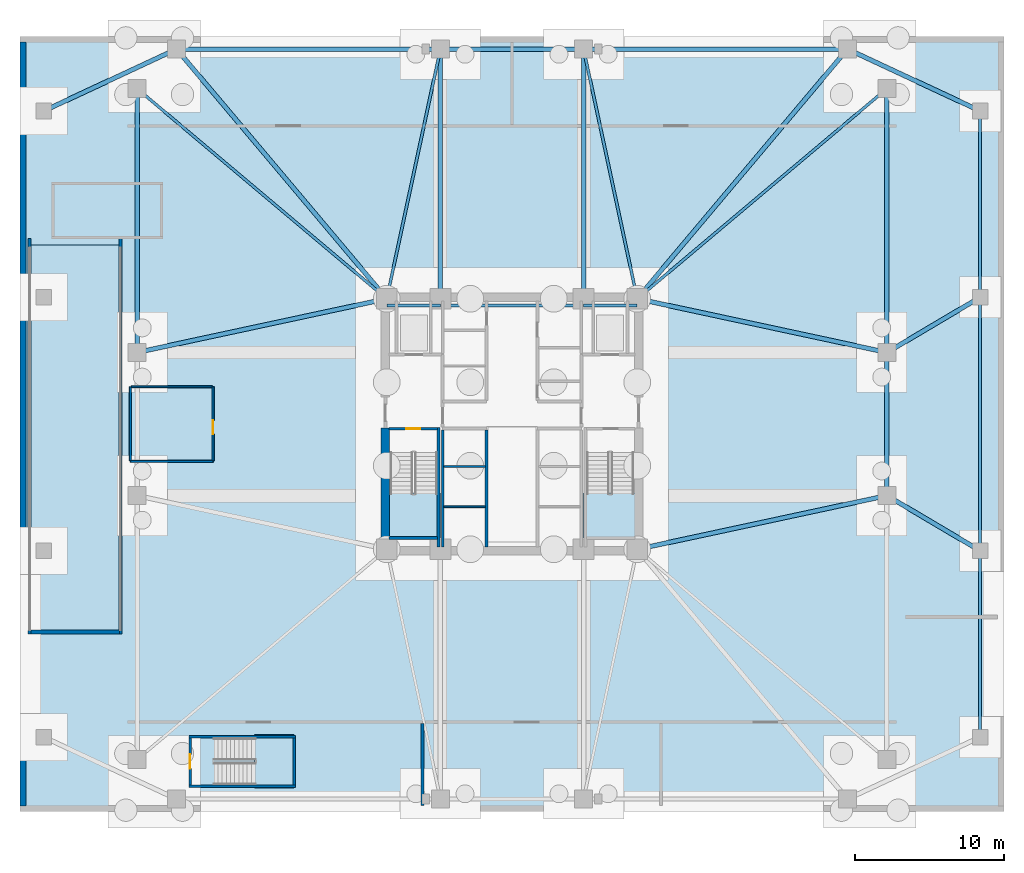
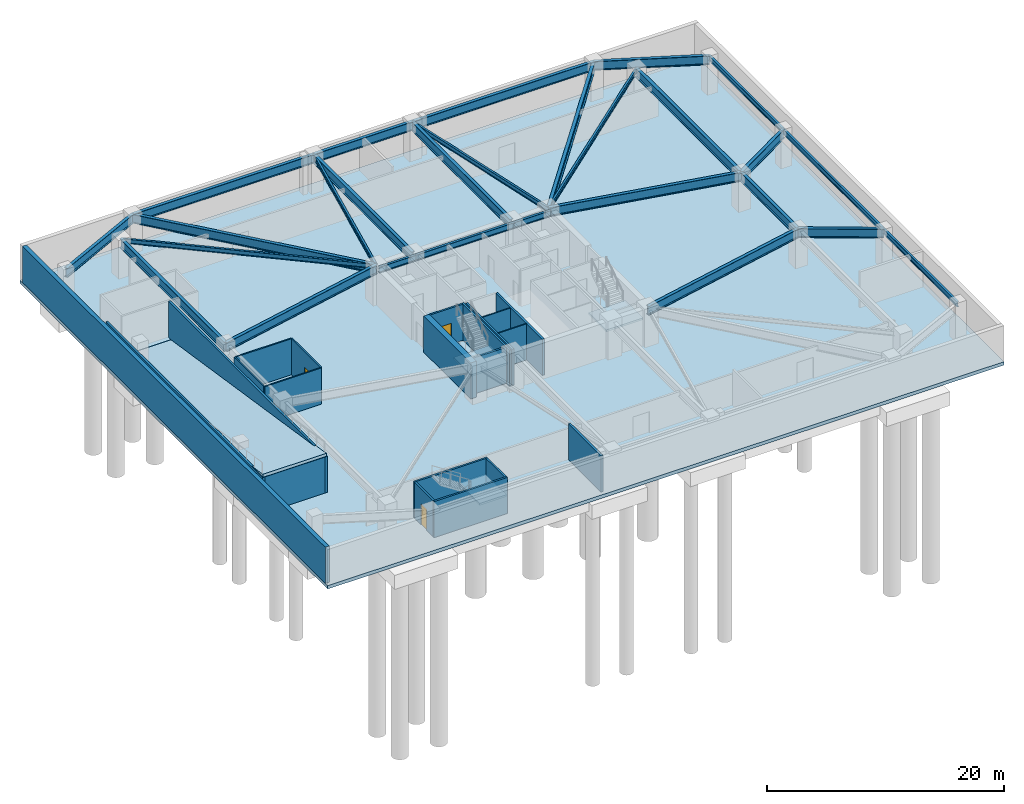
# One storey, part 2 of 10: 27 beams, 21 walls, 5 slabs, 3 doors, 3 openings, 3 elements without a shape of their own.
"""IFC4 building model written with IfcOpenShell, lengths in metres."""

from ifc_helpers import new_model, si_unit, direction, frame, frame_2d, origin, origin_2d, place, context, subcontext, project, spatial, polyline, rectangle, i_section, outline, extrude, material, layer, layer_set, material_profile, profile_set, type_object, element, fill, aggregate, save


model = new_model("IFC4")

# Units and contexts
model_context = context("Model", 3, precision=1e-05, world=origin(), true_north=direction((0.0, 1.0)))
body_context = subcontext(model_context, "Body", "Model", "MODEL_VIEW")
ifc_project = project(units=[si_unit("LENGTHUNIT", "METRE"), si_unit("AREAUNIT", "SQUARE_METRE"), si_unit("VOLUMEUNIT", "CUBIC_METRE"), si_unit("PLANEANGLEUNIT", "RADIAN"), si_unit("MASSUNIT", "GRAM", prefix="KILO")], contexts=[model_context])

# Site, building, storey
site_placement = place(None, origin())
site = spatial("IfcSite", under=ifc_project, at=site_placement, CompositionType="ELEMENT")
building_placement = place(site_placement, origin())
building = spatial("IfcBuilding", under=site, at=building_placement, Name="Cairnveth Concourse Tower", CompositionType="ELEMENT")
storey_placement = place(building_placement, frame((0.0, 0.0, -8.0)))
storey = spatial("IfcBuildingStorey", under=building, at=storey_placement, Name="B02", CompositionType="ELEMENT", Elevation=-8.0)

# Beams
ifc_material_1 = material(Name="Steel Grade 350", Category="steel")
ifc_material_profile_1 = material_profile(ifc_material_1, i_section(OverallWidth=0.22802734375, OverallDepth=0.60693359375, WebThickness=0.01123046875, FlangeThickness=0.017333984375, FilletRadius=0.013916015625, at=origin_2d()), Name="610UB113")
ifc_profile_set_1 = profile_set([ifc_material_profile_1], Name="Steel Grade 350")
beam_type_1 = type_object("IfcBeamType", Name="CORE TIE BEAM 610UB113", PredefinedType="T_BEAM", material=ifc_profile_set_1)
for number, where, z_axis, x_axis, name in (
    (1, (43.60009765625, 46.949951171875, 3.41650390625), (1.0, 0.0, 0.0), (0.0, 1.0, 0.0), "Beam CT-N1 B02"),
    (2, (56.800048828125, 46.949951171875, 3.41650390625), (1.0, 0.0, 0.0), (0.0, 1.0, 0.0), "Beam CT-N3 B02"),
):
    element("IfcBeam", number, at=place(storey_placement, frame(where, z_axis=z_axis, x_axis=x_axis)), inside=storey, type_object=beam_type_1, Name=name, PredefinedType="T_BEAM", context=body_context, shape_type="SweptSolid", body=[
        extrude(i_section(OverallWidth=0.22802734375, OverallDepth=0.60693359375, WebThickness=0.01123046875, FlangeThickness=0.017333984375, FilletRadius=0.013916015625, at=origin_2d()), origin(), (0.0, 0.0, 1.0), 3.599853515625),
    ])
beam_1_placement = place(storey_placement, frame((47.199951171875, 46.949951171875, 3.41650390625), z_axis=(1.0, 0.0, 0.0), x_axis=(0.0, 1.0, 0.0)))
element("IfcBeam", 3, at=beam_1_placement, inside=storey, type_object=beam_type_1, Name="Beam CT-N2 B02", PredefinedType="T_BEAM", context=body_context, shape_type="SweptSolid", body=[
    extrude(i_section(OverallWidth=0.22802734375, OverallDepth=0.60693359375, WebThickness=0.01123046875, FlangeThickness=0.017333984375, FilletRadius=0.013916015625, at=origin_2d()), origin(), (0.0, 0.0, 1.0), 9.60009765625),
])
ifc_material_profile_2 = material_profile(ifc_material_1, i_section(OverallWidth=0.208984375, OverallDepth=0.532958984375, WebThickness=0.01025390625, FlangeThickness=0.015625, FilletRadius=0.013916015625, at=origin_2d()), Name="530UB92.4")
ifc_profile_set_2 = profile_set([ifc_material_profile_2], Name="Steel Grade 350")
beam_type_2 = type_object("IfcBeamType", Name="PODIUM EDGE SPANDREL 530UB92.4", PredefinedType="SPANDREL", material=ifc_profile_set_2)
beam_2_placement = place(storey_placement, frame((83.39990234375, 18.0, 3.45361328125), z_axis=(0.0, 1.0, 0.0), x_axis=(-1.0, 0.0, 0.0)))
element("IfcBeam", 4, at=beam_2_placement, inside=storey, type_object=beam_type_2, Name="Beam PSP-E1 B02", PredefinedType="SPANDREL", context=body_context, shape_type="SweptSolid", body=[
    extrude(i_section(OverallWidth=0.208984375, OverallDepth=0.532958984375, WebThickness=0.01025390625, FlangeThickness=0.015625, FilletRadius=0.013916015625, at=origin_2d()), origin(), (0.0, 0.0, 1.0), 12.5),
])
beam_3_placement = place(storey_placement, frame((83.39990234375, 30.5, 3.45361328125), z_axis=(0.0, 1.0, 0.0), x_axis=(-1.0, 0.0, 0.0)))
element("IfcBeam", 5, at=beam_3_placement, inside=storey, type_object=beam_type_2, Name="Beam PSP-E2 B02", PredefinedType="SPANDREL", context=body_context, shape_type="SweptSolid", body=[
    extrude(i_section(OverallWidth=0.208984375, OverallDepth=0.532958984375, WebThickness=0.01025390625, FlangeThickness=0.015625, FilletRadius=0.013916015625, at=origin_2d()), origin(), (0.0, 0.0, 1.0), 17.0),
])
beam_4_placement = place(storey_placement, frame((83.39990234375, 47.5, 3.45361328125), z_axis=(0.0, 1.0, 0.0), x_axis=(-1.0, 0.0, 0.0)))
element("IfcBeam", 6, at=beam_4_placement, inside=storey, type_object=beam_type_2, Name="Beam PSP-E3 B02", PredefinedType="SPANDREL", context=body_context, shape_type="SweptSolid", body=[
    extrude(i_section(OverallWidth=0.208984375, OverallDepth=0.532958984375, WebThickness=0.01025390625, FlangeThickness=0.015625, FilletRadius=0.013916015625, at=origin_2d()), origin(), (0.0, 0.0, 1.0), 12.5),
])
ifc_material_profile_3 = material_profile(ifc_material_1, i_section(OverallWidth=0.18994140625, OverallDepth=0.45703125, WebThickness=0.009033203125, FlangeThickness=0.014404296875, FilletRadius=0.010986328125, at=origin_2d()), Name="460UB74.6")
ifc_profile_set_3 = profile_set([ifc_material_profile_3], Name="Steel Grade 350")
beam_type_3 = type_object("IfcBeamType", Name="PODIUM FLOOR JOIST 460UB74.6", PredefinedType="JOIST", material=ifc_profile_set_3)
for number, where, z_axis, x_axis, name in (
    (7, (26.85009765625, 61.5, 3.491455078125), (0.765027427674, -0.643997697905, 0.0), (0.643997697905, 0.765027427674, 0.0), "Beam PJ-NW1 B02"),
    (8, (77.14990234375, 61.5, 3.491455078125), (-0.765027427674, -0.643997697905, 0.0), (0.643997697905, -0.765027427674, 0.0), "Beam PJ-NE1 B02"),
):
    element("IfcBeam", number, at=place(storey_placement, frame(where, z_axis=z_axis, x_axis=x_axis)), inside=storey, type_object=beam_type_3, Name=name, PredefinedType="JOIST", context=body_context, shape_type="SweptSolid", body=[
        extrude(i_section(OverallWidth=0.18994140625, OverallDepth=0.45703125, WebThickness=0.009033203125, FlangeThickness=0.014404296875, FilletRadius=0.010986328125, at=origin_2d()), origin(), (0.0, 0.0, 1.0), 21.89453125),
    ])
for number, where, z_axis, x_axis, name in (
    (9, (43.60009765625, 47.39990234375, 3.491455078125), (0.210118799239, 0.977675861524, 0.0), (-0.977675861524, 0.210118799239, 0.0), "Beam PJ-N-X B02"),
    (10, (60.39990234375, 47.39990234375, 3.491455078125), (-0.210118799239, 0.977675861524, 0.0), (-0.977675861524, -0.210118799239, 0.0), "Beam PJ-N-X2 B02"),
):
    element("IfcBeam", number, at=place(storey_placement, frame(where, z_axis=z_axis, x_axis=x_axis)), inside=storey, type_object=beam_type_3, Name=name, PredefinedType="JOIST", context=body_context, shape_type="SweptSolid", body=[
        extrude(i_section(OverallWidth=0.18994140625, OverallDepth=0.45703125, WebThickness=0.009033203125, FlangeThickness=0.014404296875, FilletRadius=0.010986328125, at=origin_2d()), origin(), (0.0, 0.0, 1.0), 17.132568359375),
    ])
ifc_material_profile_4 = material_profile(ifc_material_1, i_section(OverallWidth=0.300048828125, OverallDepth=0.924072265625, WebThickness=0.013916015625, FlangeThickness=0.031982421875, at=origin_2d()), Name="900WB257")
ifc_profile_set_4 = profile_set([ifc_material_profile_4], Name="Steel Grade 350")
beam_type_4 = type_object("IfcBeamType", Name="PODIUM PRIMARY GIRDER 900WB257", PredefinedType="BEAM", material=ifc_profile_set_4)
for number, where, z_axis, x_axis, name in (
    (11, (20.60009765625, 60.0, 3.258056640625), (0.906315208572, 0.422602345842, 0.0), (-0.422602345842, 0.906315208572, 0.0), "Beam PG-W-N B02"),
    (12, (74.5, 64.14990234375, 3.258056640625), (0.906315208572, -0.422602345842, 0.0), (0.422602345842, 0.906315208572, 0.0), "Beam PG-E-N B02"),
):
    element("IfcBeam", number, at=place(storey_placement, frame(where, z_axis=z_axis, x_axis=x_axis)), inside=storey, type_object=beam_type_4, Name=name, PredefinedType="BEAM", context=body_context, shape_type="SweptSolid", body=[
        extrude(i_section(OverallWidth=0.300048828125, OverallDepth=0.924072265625, WebThickness=0.013916015625, FlangeThickness=0.031982421875, at=origin_2d()), origin(), (0.0, 0.0, 1.0), 9.81982421875),
    ])
for number, where, z_axis, x_axis, name in (
    (13, (26.85009765625, 43.800048828125, 3.258056640625), (0.977675861524, 0.210118799239, 0.0), (-0.210118799239, 0.977675861524, 0.0), "Beam PG-W2B B02"),
    (14, (60.39990234375, 30.60009765625, 3.258056640625), (0.977675861524, 0.210118799239, 0.0), (-0.210118799239, 0.977675861524, 0.0), "Beam PG-E1 B02"),
):
    element("IfcBeam", number, at=place(storey_placement, frame(where, z_axis=z_axis, x_axis=x_axis)), inside=storey, type_object=beam_type_4, Name=name, PredefinedType="BEAM", context=body_context, shape_type="SweptSolid", body=[
        extrude(i_section(OverallWidth=0.300048828125, OverallDepth=0.924072265625, WebThickness=0.013916015625, FlangeThickness=0.031982421875, at=origin_2d()), origin(), (0.0, 0.0, 1.0), 17.132568359375),
    ])
beam_5_placement = place(storey_placement, frame((77.14990234375, 34.199951171875, 3.258056640625), z_axis=(0.860518044459, -0.509419959523, 0.0), x_axis=(0.509419959523, 0.860518044459, 0.0)))
element("IfcBeam", 15, at=beam_5_placement, inside=storey, type_object=beam_type_4, Name="Beam PG-E1B B02", PredefinedType="BEAM", context=body_context, shape_type="SweptSolid", body=[
    extrude(i_section(OverallWidth=0.300048828125, OverallDepth=0.924072265625, WebThickness=0.013916015625, FlangeThickness=0.031982421875, at=origin_2d()), origin(), (0.0, 0.0, 1.0), 7.26318359375),
])
beam_6_placement = place(storey_placement, frame((60.39990234375, 47.39990234375, 3.258056640625), z_axis=(0.977675861524, -0.210118799239, 0.0), x_axis=(0.210118799239, 0.977675861524, 0.0)))
element("IfcBeam", 16, at=beam_6_placement, inside=storey, type_object=beam_type_4, Name="Beam PG-E2 B02", PredefinedType="BEAM", context=body_context, shape_type="SweptSolid", body=[
    extrude(i_section(OverallWidth=0.300048828125, OverallDepth=0.924072265625, WebThickness=0.013916015625, FlangeThickness=0.031982421875, at=origin_2d()), origin(), (0.0, 0.0, 1.0), 17.132568359375),
])
beam_7_placement = place(storey_placement, frame((77.14990234375, 43.800048828125, 3.258056640625), z_axis=(0.860518044459, 0.509419959523, 0.0), x_axis=(-0.509419959523, 0.860518044459, 0.0)))
element("IfcBeam", 17, at=beam_7_placement, inside=storey, type_object=beam_type_4, Name="Beam PG-E2B B02", PredefinedType="BEAM", context=body_context, shape_type="SweptSolid", body=[
    extrude(i_section(OverallWidth=0.300048828125, OverallDepth=0.924072265625, WebThickness=0.013916015625, FlangeThickness=0.031982421875, at=origin_2d()), origin(), (0.0, 0.0, 1.0), 7.26318359375),
])
for number, where, z_axis, x_axis, name in (
    (18, (47.199951171875, 47.39990234375, 3.258056640625), (0.0, 1.0, 0.0), (-1.0, 0.0, 0.0), "Beam PG-N1 B02"),
    (19, (56.800048828125, 47.39990234375, 3.258056640625), (0.0, 1.0, 0.0), (-1.0, 0.0, 0.0), "Beam PG-N2 B02"),
):
    element("IfcBeam", number, at=place(storey_placement, frame(where, z_axis=z_axis, x_axis=x_axis)), inside=storey, type_object=beam_type_4, Name=name, PredefinedType="BEAM", context=body_context, shape_type="SweptSolid", body=[
        extrude(i_section(OverallWidth=0.300048828125, OverallDepth=0.924072265625, WebThickness=0.013916015625, FlangeThickness=0.031982421875, at=origin_2d()), origin(), (0.0, 0.0, 1.0), 16.75),
    ])
for number, where, z_axis, x_axis, name in (
    (20, (29.5, 64.14990234375, 3.258056640625), (0.643997697905, -0.765027427674, 0.0), (0.765027427674, 0.643997697905, 0.0), "Beam PG-CNW B02"),
    (21, (74.5, 64.14990234375, 3.258056640625), (-0.643997697905, -0.765027427674, 0.0), (0.765027427674, -0.643997697905, 0.0), "Beam PG-CNE B02"),
):
    element("IfcBeam", number, at=place(storey_placement, frame(where, z_axis=z_axis, x_axis=x_axis)), inside=storey, type_object=beam_type_4, Name=name, PredefinedType="BEAM", context=body_context, shape_type="SweptSolid", body=[
        extrude(i_section(OverallWidth=0.300048828125, OverallDepth=0.924072265625, WebThickness=0.013916015625, FlangeThickness=0.031982421875, at=origin_2d()), origin(), (0.0, 0.0, 1.0), 21.89453125),
    ])
beam_8_placement = place(storey_placement, frame((29.5, 64.14990234375, 3.258056640625), z_axis=(1.0, 0.0, 0.0), x_axis=(0.0, 1.0, 0.0)))
element("IfcBeam", 22, at=beam_8_placement, inside=storey, type_object=beam_type_4, Name="Beam PR-N1 B02", PredefinedType="BEAM", context=body_context, shape_type="SweptSolid", body=[
    extrude(i_section(OverallWidth=0.300048828125, OverallDepth=0.924072265625, WebThickness=0.013916015625, FlangeThickness=0.031982421875, at=origin_2d()), origin(), (0.0, 0.0, 1.0), 17.699951171875),
])
beam_9_placement = place(storey_placement, frame((47.199951171875, 64.14990234375, 3.258056640625), z_axis=(1.0, 0.0, 0.0), x_axis=(0.0, 1.0, 0.0)))
element("IfcBeam", 23, at=beam_9_placement, inside=storey, type_object=beam_type_4, Name="Beam PR-N2 B02", PredefinedType="BEAM", context=body_context, shape_type="SweptSolid", body=[
    extrude(i_section(OverallWidth=0.300048828125, OverallDepth=0.924072265625, WebThickness=0.013916015625, FlangeThickness=0.031982421875, at=origin_2d()), origin(), (0.0, 0.0, 1.0), 9.60009765625),
])
for number, where, z_axis, x_axis, name in (
    (24, (56.800048828125, 64.14990234375, 3.258056640625), (1.0, 0.0, 0.0), (0.0, 1.0, 0.0), "Beam PR-N3 B02"),
    (25, (26.85009765625, 43.800048828125, 3.258056640625), (0.0, 1.0, 0.0), (-1.0, 0.0, 0.0), "Beam PR-W3 B02"),
):
    element("IfcBeam", number, at=place(storey_placement, frame(where, z_axis=z_axis, x_axis=x_axis)), inside=storey, type_object=beam_type_4, Name=name, PredefinedType="BEAM", context=body_context, shape_type="SweptSolid", body=[
        extrude(i_section(OverallWidth=0.300048828125, OverallDepth=0.924072265625, WebThickness=0.013916015625, FlangeThickness=0.031982421875, at=origin_2d()), origin(), (0.0, 0.0, 1.0), 17.699951171875),
    ])
beam_10_placement = place(storey_placement, frame((77.14990234375, 34.199951171875, 3.258056640625), z_axis=(0.0, 1.0, 0.0), x_axis=(-1.0, 0.0, 0.0)))
element("IfcBeam", 26, at=beam_10_placement, inside=storey, type_object=beam_type_4, Name="Beam PR-E2 B02", PredefinedType="BEAM", context=body_context, shape_type="SweptSolid", body=[
    extrude(i_section(OverallWidth=0.300048828125, OverallDepth=0.924072265625, WebThickness=0.013916015625, FlangeThickness=0.031982421875, at=origin_2d()), origin(), (0.0, 0.0, 1.0), 9.60009765625),
])
beam_11_placement = place(storey_placement, frame((77.14990234375, 43.800048828125, 3.258056640625), z_axis=(0.0, 1.0, 0.0), x_axis=(-1.0, 0.0, 0.0)))
element("IfcBeam", 27, at=beam_11_placement, inside=storey, type_object=beam_type_4, Name="Beam PR-E3 B02", PredefinedType="BEAM", context=body_context, shape_type="SweptSolid", body=[
    extrude(i_section(OverallWidth=0.300048828125, OverallDepth=0.924072265625, WebThickness=0.013916015625, FlangeThickness=0.031982421875, at=origin_2d()), origin(), (0.0, 0.0, 1.0), 17.699951171875),
])

# Slab
ifc_material_2 = material(Name="Concrete N50 (50 MPa)", Category="concrete")
ifc_layer_1 = layer(ifc_material_2, 0.35009765625)
ifc_layer_set_1 = layer_set([ifc_layer_1], Name="Concrete N50 (50 MPa)")
slab_type_1 = type_object("IfcSlabType", Name="BASEMENT STRUCTURAL BASE SLAB 350", PredefinedType="BASESLAB", material=ifc_layer_set_1)
slab_1_placement = place(storey_placement, frame((0.0, 0.0, -0.35009765625)))
element("IfcSlab", 28, at=slab_1_placement, inside=storey, type_object=slab_type_1, Name="Basement B02 Structural Base Slab", PredefinedType="BASESLAB", context=body_context, shape_type="SweptSolid", body=[
    extrude(outline(polyline([(19.0, 13.0), (85.0, 13.0), (85.0, 65.0), (19.0, 65.0), (19.0, 13.0)]), holes=[polyline([(19.580078125, 48.949951171875), (25.820068359375, 48.949951171875), (25.820068359375, 51.02001953125), (19.580078125, 51.02001953125), (19.580078125, 48.949951171875)])]), origin(), (0.0, 0.0, 1.0), 0.35009765625),
])

# Stair, slab
ifc_material_3 = material(Name="Precast concrete N50 (50 MPa)", Category="concrete")
stair_type = type_object("IfcStairType", Name="CORE DOG-LEG FIRE STAIR 1500", PredefinedType="HALF_TURN_STAIR", material=ifc_material_3)
stair_1_placement = place(storey_placement, origin())
stair_1 = element("IfcStair", 29, at=stair_1_placement, inside=storey, type_object=stair_type, Name="B02 Fire-Isolated Stair ST-1", PredefinedType="HALF_TURN_STAIR")
ifc_layer_2 = layer(ifc_material_2, 0.199951171875)
ifc_layer_set_2 = layer_set([ifc_layer_2], Name="Concrete N50 (50 MPa)")
slab_type_2 = type_object("IfcSlabType", Name="STAIR HALF LANDING SLAB 200", PredefinedType="LANDING", material=ifc_layer_set_2)
slab_2_placement = place(storey_placement, frame((0.0, 0.0, 1.800048828125)))
slab_2 = element("IfcSlab", 30, at=slab_2_placement, type_object=slab_type_2, Name="ST-1 landing 1", PredefinedType="LANDING", context=body_context, shape_type="SweptSolid", body=[
    extrude(outline(polyline([(43.6201171875, 34.360107421875), (43.6201171875, 31.3701171875), (47.199951171875, 31.3701171875), (47.199951171875, 34.360107421875), (43.6201171875, 34.360107421875)])), origin(), (0.0, 0.0, 1.0), 0.199951171875),
])
aggregate(stair_1, [slab_2])

stair_2_placement = place(storey_placement, origin())
stair_2 = element("IfcStair", 31, at=stair_2_placement, inside=storey, type_object=stair_type, Name="B02 Fire-Isolated Stair ST-2", PredefinedType="HALF_TURN_STAIR")
slab_3_placement = place(storey_placement, frame((0.0, 0.0, 1.800048828125)))
slab_3 = element("IfcSlab", 32, at=slab_3_placement, type_object=slab_type_2, Name="ST-2 landing 1", PredefinedType="LANDING", context=body_context, shape_type="SweptSolid", body=[
    extrude(outline(polyline([(56.800048828125, 34.360107421875), (56.800048828125, 31.3701171875), (60.3798828125, 31.3701171875), (60.3798828125, 34.360107421875), (56.800048828125, 34.360107421875)])), origin(), (0.0, 0.0, 1.0), 0.199951171875),
])
aggregate(stair_2, [slab_3])

stair_3_placement = place(storey_placement, origin())
stair_3 = element("IfcStair", 33, at=stair_3_placement, inside=storey, type_object=stair_type, Name="B02 Fire-Isolated Stair ST-B1", PredefinedType="HALF_TURN_STAIR")
slab_4_placement = place(storey_placement, frame((0.0, 0.0, 1.800048828125)))
slab_4 = element("IfcSlab", 34, at=slab_4_placement, type_object=slab_type_2, Name="ST-B1 landing 1", PredefinedType="LANDING", context=body_context, shape_type="SweptSolid", body=[
    extrude(outline(polyline([(34.739990234375, 14.580078125), (37.3798828125, 14.580078125), (37.3798828125, 18.159912109375), (34.739990234375, 18.159912109375), (34.739990234375, 14.580078125)])), origin(), (0.0, 0.0, 1.0), 0.199951171875),
])
aggregate(stair_3, [slab_4])

# Slab
ifc_layer_3 = layer(ifc_material_2, 0.300048828125)
ifc_layer_set_3 = layer_set([ifc_layer_3], Name="Concrete N50 (50 MPa)")
slab_type_3 = type_object("IfcSlabType", Name="VEHICLE RAMP STRUCTURAL SLAB 300", PredefinedType="FLOOR", material=ifc_layer_set_3)
slab_5_placement = place(storey_placement, frame((19.60009765625, 51.0, 0.0), z_axis=(0.0, 0.152057184254, 0.988371697651), x_axis=(1.0, 0.0, 0.0)))
element("IfcSlab", 35, at=slab_5_placement, inside=storey, type_object=slab_type_3, Name="Basement Vehicle Car Park Ramp Slab B02-B01", PredefinedType="FLOOR", context=body_context, shape_type="SweptSolid", body=[
    extrude(outline(polyline([(0.0, 0.0), (6.199951171875, 0.0), (6.199951171875, -26.30589287593181), (0.0, -26.30589287593181), (0.0, 0.0)])), origin(), (0.0, 0.0, -1.0), 0.300048828125),
])

# Walls
ifc_layer_4 = layer(ifc_material_2, 0.39990234375)
ifc_layer_set_4 = layer_set([ifc_layer_4], Name="Concrete N50 (50 MPa)")
wall_type_1 = type_object("IfcWallType", Name="BASEMENT RETAINING WALL 400", PredefinedType="USERDEFINED", material=ifc_layer_set_4)
wall_1_placement = place(storey_placement, frame((19.199951171875, 13.385009765625, 0.0), z_axis=(0.0, 0.0, 1.0), x_axis=(0.0, 1.0, 0.0)))
element("IfcWall", 36, at=wall_1_placement, inside=storey, type_object=wall_type_1, Name="Exterior Wall EW-B02-W", ObjectType="RETAINING WALL", PredefinedType="USERDEFINED", context=body_context, shape_type="SweptSolid", body=[
    extrude(rectangle(XDim=51.22998046875, YDim=0.39990234375, at=frame_2d((25.614990234375, 0.0))), origin(), (0.0, 0.0, 1.0), 3.719970703125),
])
ifc_material_4 = material(Name="Concrete N80 (80 MPa)", Category="concrete")
ifc_layer_5 = layer(ifc_material_4, 0.550048828125)
ifc_layer_set_5 = layer_set([ifc_layer_5], Name="Concrete N80 (80 MPa)")
wall_type_2 = type_object("IfcWallType", Name="CORE SHEAR WALL 550", PredefinedType="SHEAR", material=ifc_layer_set_5)
wall_2_placement = place(storey_placement, frame((43.5, 30.764892578125, 0.0), z_axis=(0.0, 0.0, 1.0), x_axis=(0.0, 1.0, 0.0)))
element("IfcWall", 37, at=wall_2_placement, inside=storey, type_object=wall_type_2, Name="Core West Shear Wall S B02", PredefinedType="SHEAR", context=body_context, shape_type="SweptSolid", body=[
    extrude(rectangle(XDim=7.985107421875, YDim=0.550048828125, at=frame_2d((3.99267578125, 0.0))), origin(), (0.0, 0.0, 1.0), 3.719970703125),
])
ifc_layer_6 = layer(ifc_material_2, 0.179931640625)
ifc_layer_set_6 = layer_set([ifc_layer_6], Name="Concrete N50 (50 MPa)")
wall_type_3 = type_object("IfcWallType", Name="FIRE SHAFT WALL 180", PredefinedType="SOLIDWALL", material=ifc_layer_set_6)
wall_3_placement = place(storey_placement, frame((47.35009765625, 30.760009765625, 0.0), z_axis=(0.0, 0.0, 1.0), x_axis=(0.0, 1.0, 0.0)))
element("IfcWall", 38, at=wall_3_placement, inside=storey, type_object=wall_type_3, Name="Interior Wall IW-B02-025", PredefinedType="SOLIDWALL", context=body_context, shape_type="SweptSolid", body=[
    extrude(rectangle(XDim=7.85498046875, YDim=0.179931640625, at=frame_2d((3.927490234375, 0.0))), origin(), (0.0, 0.0, 1.0), 3.719970703125),
])

# Wall, opening, door
wall_4_placement = place(storey_placement, frame((43.764892578125, 38.68994140625, 0.0), z_axis=(0.0, 0.0, 1.0), x_axis=(1.0, 0.0, 0.0)))
wall_4 = element("IfcWall", 39, at=wall_4_placement, inside=storey, type_object=wall_type_3, Name="Stair ST-1 Shaft Wall NEAR B02", PredefinedType="SOLIDWALL", context=body_context, shape_type="SweptSolid", body=[
    extrude(rectangle(XDim=3.230224609375, YDim=0.179931640625, at=frame_2d((1.615234375, 0.0))), origin(), (0.0, 0.0, 1.0), 3.719970703125),
])
opening_1_placement = place(wall_4_placement, frame((1.139892578125, 0.0, 0.0)))
opening_1 = element("IfcOpeningElement", 40, at=opening_1_placement, cuts=wall_4, Name="Opening ID12", PredefinedType="OPENING", context=body_context, shape_type="SweptSolid", body=[
    extrude(rectangle(XDim=0.949951171875, YDim=2.14990234375, at=frame_2d((0.47509765625, 1.074951171875))), frame((0.0, 0.099853515625, 0.0), z_axis=(0.0, -1.0, 0.0), x_axis=(1.0, 0.0, 0.0)), (0.0, 0.0, 1.0), 0.199951171875),
])
door_type_1 = type_object("IfcDoorType", Name="FIRE STAIR DOOR 950X2150", OperationType="NOTDEFINED", PredefinedType="DOOR", material=ifc_material_1)
door_1_placement = place(opening_1_placement, origin())
door_1 = element("IfcDoor", 41, at=door_1_placement, inside=storey, type_object=door_type_1, Name="Stair ST-1 Fire Door B02", OperationType="SINGLE_SWING_LEFT", OverallHeight=2.14990234375, OverallWidth=0.949951171875, PredefinedType="DOOR", context=body_context, shape_type="SweptSolid", body=[
    extrude(rectangle(XDim=0.949951171875, YDim=2.14990234375, at=frame_2d((0.47509765625, 1.074951171875))), frame((0.0, 0.02490234375, 0.0), z_axis=(0.0, -1.0, 0.0), x_axis=(1.0, 0.0, 0.0)), (0.0, 0.0, 1.0), 0.050048828125),
])
fill(opening_1, door_1)

# Walls
wall_5_placement = place(storey_placement, frame((43.764892578125, 31.360107421875, 0.0), z_axis=(0.0, 0.0, 1.0), x_axis=(1.0, 0.0, 0.0)))
element("IfcWall", 42, at=wall_5_placement, inside=storey, type_object=wall_type_3, Name="Stair ST-1 Shaft Wall FAR B02", PredefinedType="SOLIDWALL", context=body_context, shape_type="SweptSolid", body=[
    extrude(rectangle(XDim=3.230224609375, YDim=0.179931640625, at=frame_2d((1.615234375, 0.0))), origin(), (0.0, 0.0, 1.0), 3.719970703125),
])
wall_6_placement = place(storey_placement, frame((47.070068359375, 38.780029296875, 0.0), z_axis=(0.0, 0.0, 1.0), x_axis=(0.0, -1.0, 0.0)))
element("IfcWall", 43, at=wall_6_placement, inside=storey, type_object=wall_type_3, Name="Stair ST-1 Shaft Wall RGHT B02", PredefinedType="SOLIDWALL", context=body_context, shape_type="SweptSolid", body=[
    extrude(rectangle(XDim=8.01708984375, YDim=0.179931640625, at=frame_2d((4.008544921875, 0.0))), origin(), (0.0, 0.0, 1.0), 3.719970703125),
])

# Wall, opening, door
wall_7_placement = place(storey_placement, frame((30.409912109375, 14.784912109375, 0.0), z_axis=(0.0, 0.0, 1.0), x_axis=(0.0, 1.0, 0.0)))
wall_7 = element("IfcWall", 44, at=wall_7_placement, inside=storey, type_object=wall_type_3, Name="Stair ST-B1 Shaft Wall NEAR B02", PredefinedType="SOLIDWALL", context=body_context, shape_type="SweptSolid", body=[
    extrude(rectangle(XDim=3.170166015625, YDim=0.179931640625, at=frame_2d((1.5849609375, 0.0))), origin(), (0.0, 0.0, 1.0), 3.719970703125),
])
opening_2_placement = place(wall_7_placement, frame((1.110107421875, 0.0, 0.0)))
opening_2 = element("IfcOpeningElement", 45, at=opening_2_placement, cuts=wall_7, Name="Opening ID12", PredefinedType="OPENING", context=body_context, shape_type="SweptSolid", body=[
    extrude(rectangle(XDim=0.949951171875, YDim=2.14990234375, at=frame_2d((0.47509765625, 1.074951171875))), frame((0.0, 0.099853515625, 0.0), z_axis=(0.0, -1.0, 0.0), x_axis=(1.0, 0.0, 0.0)), (0.0, 0.0, 1.0), 0.199951171875),
])
door_2_placement = place(opening_2_placement, origin())
door_2 = element("IfcDoor", 46, at=door_2_placement, inside=storey, type_object=door_type_1, Name="Stair ST-B1 Fire Door B02", OperationType="SINGLE_SWING_RIGHT", OverallHeight=2.14990234375, OverallWidth=0.949951171875, PredefinedType="DOOR", context=body_context, shape_type="SweptSolid", body=[
    extrude(rectangle(XDim=0.949951171875, YDim=2.14990234375, at=frame_2d((0.47509765625, 1.074951171875))), frame((0.0, 0.02490234375, 0.0), z_axis=(0.0, -1.0, 0.0), x_axis=(1.0, 0.0, 0.0)), (0.0, 0.0, 1.0), 0.050048828125),
])
fill(opening_2, door_2)

# Walls
wall_8_placement = place(storey_placement, frame((37.389892578125, 14.784912109375, 0.0), z_axis=(0.0, 0.0, 1.0), x_axis=(0.0, 1.0, 0.0)))
element("IfcWall", 47, at=wall_8_placement, inside=storey, type_object=wall_type_3, Name="Stair ST-B1 Shaft Wall FAR B02", PredefinedType="SOLIDWALL", context=body_context, shape_type="SweptSolid", body=[
    extrude(rectangle(XDim=3.170166015625, YDim=0.179931640625, at=frame_2d((1.5849609375, 0.0))), origin(), (0.0, 0.0, 1.0), 3.719970703125),
])
for number, where, z_axis, x_axis, name in (
    (48, (30.320068359375, 14.7099609375, 0.0), (0.0, 0.0, 1.0), (1.0, 0.0, 0.0), "Stair ST-B1 Shaft Wall LEFT B02"),
    (49, (30.320068359375, 18.030029296875, 0.0), (0.0, 0.0, 1.0), (1.0, 0.0, 0.0), "Stair ST-B1 Shaft Wall RGHT B02"),
):
    element("IfcWall", number, at=place(storey_placement, frame(where, z_axis=z_axis, x_axis=x_axis)), inside=storey, type_object=wall_type_3, Name=name, PredefinedType="SOLIDWALL", context=body_context, shape_type="SweptSolid", body=[
        extrude(rectangle(XDim=7.159912109375, YDim=0.179931640625, at=frame_2d((3.580078125, 0.0))), origin(), (0.0, 0.0, 1.0), 3.719970703125),
    ])
ifc_layer_7 = layer(ifc_material_2, 0.199951171875)
ifc_layer_set_7 = layer_set([ifc_layer_7], Name="Concrete N50 (50 MPa)")
wall_type_4 = type_object("IfcWallType", Name="FIRE SHAFT WALL 200", PredefinedType="SOLIDWALL", material=ifc_layer_set_7)
wall_9_placement = place(storey_placement, frame((50.300048828125, 30.760009765625, 0.0), z_axis=(0.0, 0.0, 1.0), x_axis=(0.0, 1.0, 0.0)))
element("IfcWall", 50, at=wall_9_placement, inside=storey, type_object=wall_type_4, Name="Interior Wall IW-B02-011", PredefinedType="SOLIDWALL", context=body_context, shape_type="SweptSolid", body=[
    extrude(rectangle(XDim=7.85498046875, YDim=0.199951171875, at=frame_2d((3.927490234375, 0.0))), origin(), (0.0, 0.0, 1.0), 3.719970703125),
])
wall_10_placement = place(storey_placement, frame((46.0, 13.39990234375, 0.0), z_axis=(0.0, 0.0, 1.0), x_axis=(0.0, 1.0, 0.0)))
element("IfcWall", 51, at=wall_10_placement, inside=storey, type_object=wall_type_4, Name="Interior Wall IW-B02-039", PredefinedType="SOLIDWALL", context=body_context, shape_type="SweptSolid", body=[
    extrude(rectangle(XDim=5.51513671875, YDim=0.199951171875, at=frame_2d((2.757568359375, 0.0))), origin(), (0.0, 0.0, 1.0), 3.719970703125),
])
for number, where, z_axis, x_axis, name in (
    (52, (19.64990234375, 24.925048828125, 0.0), (0.0, 0.0, 1.0), (0.0, 1.0, 0.0), "Ramp B02-B01 West Support Wall"),
    (53, (25.75, 24.925048828125, 0.0), (0.0, 0.0, 1.0), (0.0, 1.0, 0.0), "Ramp B02-B01 East Support Wall"),
):
    element("IfcWall", number, at=place(storey_placement, frame(where, z_axis=z_axis, x_axis=x_axis)), inside=storey, type_object=wall_type_4, Name=name, PredefinedType="SOLIDWALL", context=body_context, shape_type="SweptSolid", body=[
        extrude(rectangle(XDim=26.510009765625, YDim=0.199951171875, at=frame_2d((13.2548828125, 0.0))), origin(), (0.0, 0.0, 1.0), 3.719970703125),
    ])
wall_11_placement = place(storey_placement, frame((19.735107421875, 25.050048828125, 0.0), z_axis=(0.0, 0.0, 1.0), x_axis=(1.0, 0.0, 0.0)))
element("IfcWall", 54, at=wall_11_placement, inside=storey, type_object=wall_type_4, Name="Ramp B02-B01 Head Bearing Wall", PredefinedType="SOLIDWALL", context=body_context, shape_type="SweptSolid", body=[
    extrude(rectangle(XDim=5.929931640625, YDim=0.25, at=frame_2d((2.96484375, 0.0))), origin(), (0.0, 0.0, 1.0), 3.719970703125),
])
ifc_material_5 = material(Name="Gypsum Plasterboard Partition", Category="gypsum")
ifc_layer_8 = layer(ifc_material_5, 0.110107421875)
ifc_layer_set_8 = layer_set([ifc_layer_8], Name="Gypsum Plasterboard Partition")
wall_type_5 = type_object("IfcWallType", Name="SHAFT DIVIDER WALL 140", PredefinedType="PARTITIONING", material=ifc_layer_set_8)
for number, where, z_axis, x_axis, name in (
    (55, (47.425048828125, 33.449951171875, 0.0), (0.0, 0.0, 1.0), (1.0, 0.0, 0.0), "Interior Wall IW-B02-026"),
    (56, (47.425048828125, 36.14990234375, 0.0), (0.0, 0.0, 1.0), (1.0, 0.0, 0.0), "Interior Wall IW-B02-027"),
):
    element("IfcWall", number, at=place(storey_placement, frame(where, z_axis=z_axis, x_axis=x_axis)), inside=storey, type_object=wall_type_5, Name=name, PredefinedType="PARTITIONING", context=body_context, shape_type="SweptSolid", body=[
        extrude(rectangle(XDim=2.7900390625, YDim=0.110107421875, at=frame_2d((1.39501953125, 0.0))), origin(), (0.0, 0.0, 1.0), 3.719970703125),
    ])
ifc_layer_9 = layer(ifc_material_5, 0.1298828125)
ifc_layer_set_9 = layer_set([ifc_layer_9], Name="Gypsum Plasterboard Partition")
wall_type_6 = type_object("IfcWallType", Name="WET AREA PARTITION 140", PredefinedType="PLUMBINGWALL", material=ifc_layer_set_9)
wall_12_placement = place(storey_placement, frame((26.39990234375, 36.5, 0.0), z_axis=(0.0, 0.0, 1.0), x_axis=(1.0, 0.0, 0.0)))
element("IfcWall", 57, at=wall_12_placement, inside=storey, type_object=wall_type_6, Name="Interior Wall IW-B02-042", PredefinedType="PLUMBINGWALL", context=body_context, shape_type="SweptSolid", body=[
    extrude(rectangle(XDim=5.550048828125, YDim=0.1298828125, at=frame_2d((2.77490234375, 0.0))), origin(), (0.0, 0.0, 1.0), 3.719970703125),
])
wall_13_placement = place(storey_placement, frame((26.39990234375, 36.550048828125, 0.0), z_axis=(0.0, 0.0, 1.0), x_axis=(0.0, 1.0, 0.0)))
element("IfcWall", 58, at=wall_13_placement, inside=storey, type_object=wall_type_6, Name="Interior Wall IW-B02-043", PredefinedType="PLUMBINGWALL", context=body_context, shape_type="SweptSolid", body=[
    extrude(rectangle(XDim=4.949951171875, YDim=0.1298828125, at=frame_2d((2.47509765625, 0.0))), origin(), (0.0, 0.0, 1.0), 3.719970703125),
])

# Wall, opening, door
wall_14_placement = place(storey_placement, frame((31.949951171875, 36.550048828125, 0.0), z_axis=(0.0, 0.0, 1.0), x_axis=(0.0, 1.0, 0.0)))
wall_14 = element("IfcWall", 59, at=wall_14_placement, inside=storey, type_object=wall_type_6, Name="Interior Wall IW-B02-044", PredefinedType="PLUMBINGWALL", context=body_context, shape_type="SweptSolid", body=[
    extrude(rectangle(XDim=4.949951171875, YDim=0.1298828125, at=frame_2d((2.47509765625, 0.0))), origin(), (0.0, 0.0, 1.0), 3.719970703125),
])
opening_3_placement = place(wall_14_placement, frame((1.75, 0.0, 0.0)))
opening_3 = element("IfcOpeningElement", 60, at=opening_3_placement, cuts=wall_14, Name="Opening ID13", PredefinedType="OPENING", context=body_context, shape_type="SweptSolid", body=[
    extrude(rectangle(XDim=0.949951171875, YDim=2.10009765625, at=frame_2d((0.47509765625, 1.050048828125))), frame((0.0, 0.074951171875, 0.0), z_axis=(0.0, -1.0, 0.0), x_axis=(1.0, 0.0, 0.0)), (0.0, 0.0, 1.0), 0.14990234375),
])
ifc_material_6 = material(Name="Solid Core Hardwood Timber Leaf", Category="wood")
door_type_2 = type_object("IfcDoorType", Name="ACCESSIBLE WC DOOR 950X2100", OperationType="NOTDEFINED", PredefinedType="DOOR", material=ifc_material_6)
door_3_placement = place(opening_3_placement, origin())
door_3 = element("IfcDoor", 61, at=door_3_placement, inside=storey, type_object=door_type_2, Name="Interior Door DR-B02-015", OperationType="SINGLE_SWING_LEFT", OverallHeight=2.10009765625, OverallWidth=0.949951171875, PredefinedType="DOOR", context=body_context, shape_type="SweptSolid", body=[
    extrude(rectangle(XDim=0.949951171875, YDim=2.10009765625, at=frame_2d((0.47509765625, 1.050048828125))), frame((0.0, 0.02490234375, 0.0), z_axis=(0.0, -1.0, 0.0), x_axis=(1.0, 0.0, 0.0)), (0.0, 0.0, 1.0), 0.050048828125),
])
fill(opening_3, door_3)

# Wall
wall_15_placement = place(storey_placement, frame((26.449951171875, 41.5, 0.0), z_axis=(0.0, 0.0, 1.0), x_axis=(1.0, 0.0, 0.0)))
element("IfcWall", 62, at=wall_15_placement, inside=storey, type_object=wall_type_6, Name="Interior Wall IW-B02-045", PredefinedType="PLUMBINGWALL", context=body_context, shape_type="SweptSolid", body=[
    extrude(rectangle(XDim=5.449951171875, YDim=0.1298828125, at=frame_2d((2.72509765625, 0.0))), origin(), (0.0, 0.0, 1.0), 3.719970703125),
])

save(model, "model.ifc")
